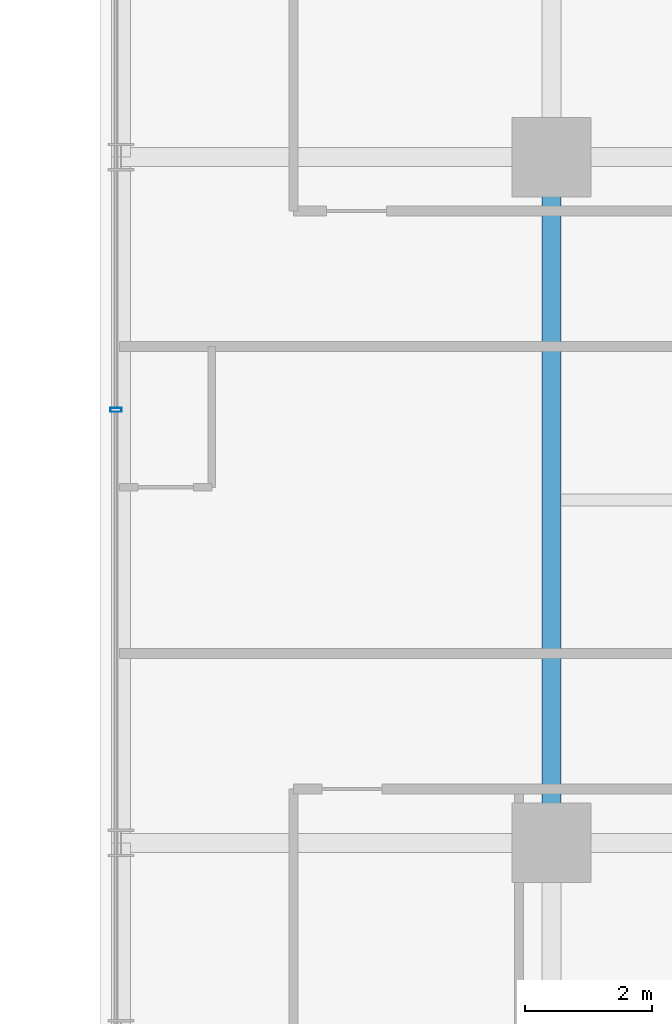
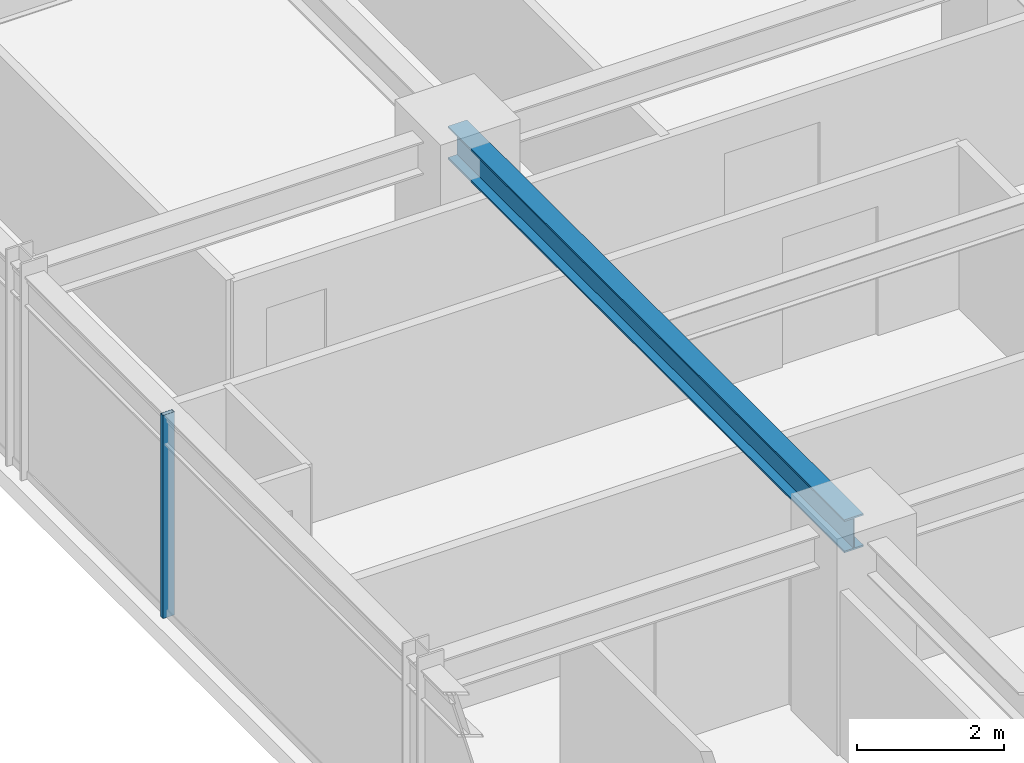
# One storey, part 9 of 32: 1 beam, 1 member, 1 element without a shape of its own.
"""IFC4 building model written with IfcOpenShell, lengths in metres."""

from ifc_helpers import new_model, si_unit, direction, frame, origin, origin_2d, place, context, subcontext, project, spatial, hollow_rectangle, i_section, extrude, source, transform, mapped, material, material_profile, profile_set, type_object, element, aggregate, save


model = new_model("IFC4")

# Units and contexts
model_context = context("Model", 3, precision=1e-05, world=origin(), true_north=direction((0.0, 1.0)))
body_context = subcontext(model_context, "Body", "Model", "MODEL_VIEW")
ifc_project = project(units=[si_unit("LENGTHUNIT", "METRE"), si_unit("AREAUNIT", "SQUARE_METRE"), si_unit("VOLUMEUNIT", "CUBIC_METRE"), si_unit("PLANEANGLEUNIT", "RADIAN"), si_unit("MASSUNIT", "GRAM", prefix="KILO")], contexts=[model_context])

# Site, building, storey
site_placement = place(None, origin())
site = spatial("IfcSite", under=ifc_project, at=site_placement, CompositionType="ELEMENT")
building_placement = place(site_placement, origin())
building = spatial("IfcBuilding", under=site, at=building_placement, Name="Nahalor Promenade Grand Hotel", CompositionType="ELEMENT")
storey_placement = place(building_placement, frame((0.0, 0.0, 110.199951171875)))
storey = spatial("IfcBuildingStorey", under=building, at=storey_placement, Name="L27", CompositionType="ELEMENT", Elevation=110.199951171875)

# Beam
ifc_material_1 = material(Name="Steel S355JR", Category="steel")
ifc_material_profile_1 = material_profile(ifc_material_1, i_section(OverallWidth=0.3, OverallDepth=0.55, WebThickness=0.015, FlangeThickness=0.029, at=origin_2d()), Name="HEB 550")
ifc_profile_set_1 = profile_set([ifc_material_profile_1], Name="Steel S355JR")
beam_type = type_object("IfcBeamType", Name="Beam-Girder-HEB550", PredefinedType="BEAM", material=ifc_profile_set_1)
shared_shape_1 = source(origin(), body_context, "Body", "SweptSolid", [
    extrude(i_section(OverallWidth=0.3, OverallDepth=0.55, WebThickness=0.015, FlangeThickness=0.029, at=origin_2d()), origin(), (0.0, 0.0, 1.0), 10.7998046875),
])
beam_placement = place(storey_placement, frame((-17.0, -5.39990234375, 3.10498046875), z_axis=(0.0, 1.0, 0.0), x_axis=(-1.0, 0.0, 0.0)))
element("IfcBeam", 1, at=beam_placement, inside=storey, type_object=beam_type, Name="BM-L27-GY-0-2", PredefinedType="BEAM", context=body_context, shape_type="MappedRepresentation", body=[
    mapped(shared_shape_1, transform((0.0, 0.0, 0.0), scale=1.0)),
])

# Curtain wall, member
ifc_material_2 = material(Name="Anodised Bronze Aluminium EN AW-6063 T6", Category="aluminium")
curtain_wall_type = type_object("IfcCurtainWallType", Name="CW2 Typical Hotel Flush Bronze Unitised Curtain Wall", PredefinedType="USERDEFINED", material=ifc_material_2)
curtain_wall_placement = place(storey_placement, origin())
curtain_wall = element("IfcCurtainWall", 2, at=curtain_wall_placement, inside=storey, type_object=curtain_wall_type, Name="L27 Curtain Wall CW-L27-W-3", ObjectType="UNITISED_CURTAIN_WALL", PredefinedType="USERDEFINED")
ifc_material_profile_2 = material_profile(ifc_material_2, hollow_rectangle(XDim=0.065, YDim=0.18, WallThickness=0.004, at=origin_2d()), Name="CWM 65x180x4")
ifc_profile_set_2 = profile_set([ifc_material_profile_2], Name="Anodised Bronze Aluminium EN AW-6063 T6")
member_type = type_object("IfcMemberType", Name="CWM2 Typical Bronze Mullion 65x180", PredefinedType="MULLION", material=ifc_profile_set_2)
shared_shape_2 = source(origin(), body_context, "Body", "SweptSolid", [
    extrude(hollow_rectangle(XDim=0.065, YDim=0.18, WallThickness=0.004, at=origin_2d()), origin(), (0.0, 0.0, 1.0), 3.380126953125),
])
member_placement = place(storey_placement, frame((-23.860107421875, 1.419921875, 0.0), z_axis=(0.0, 0.0, 1.0), x_axis=(0.0, 1.0, 0.0)))
member = element("IfcMember", 3, at=member_placement, type_object=member_type, Name="CW-L27-W-3 Mullion 1", PredefinedType="MULLION", context=body_context, shape_type="MappedRepresentation", body=[
    mapped(shared_shape_2, transform((0.0, 0.0, 0.0), scale=1.0)),
])
aggregate(curtain_wall, [member])

save(model, "model.ifc")
